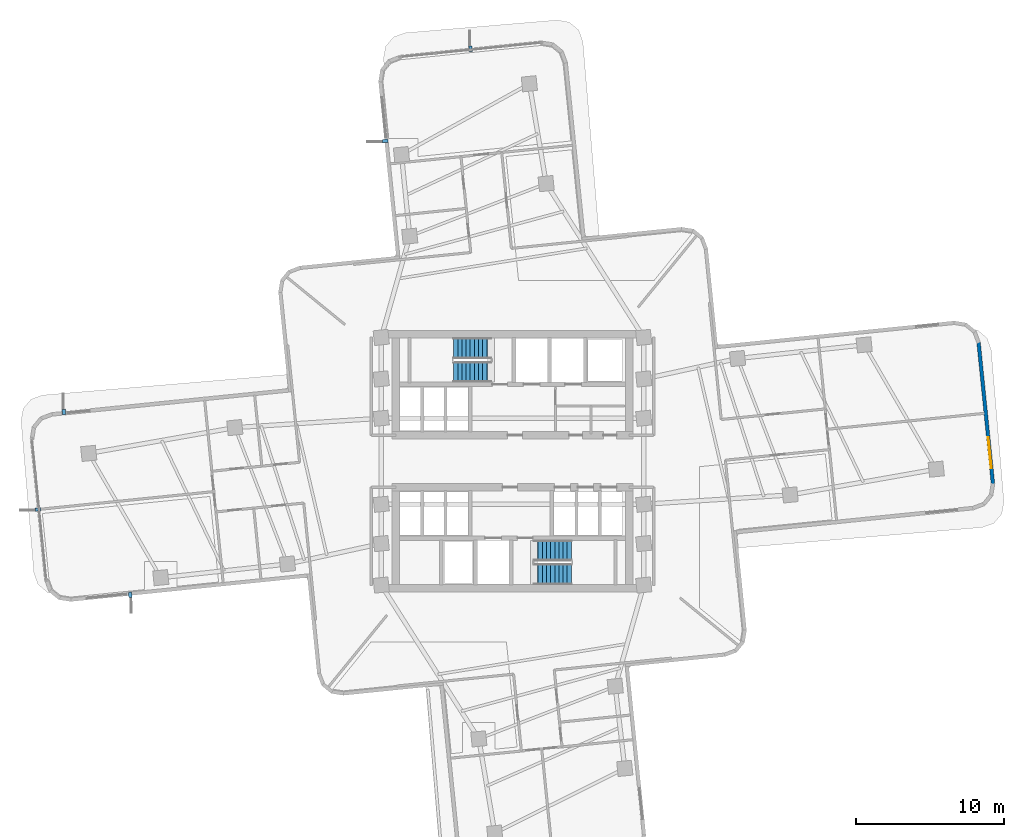
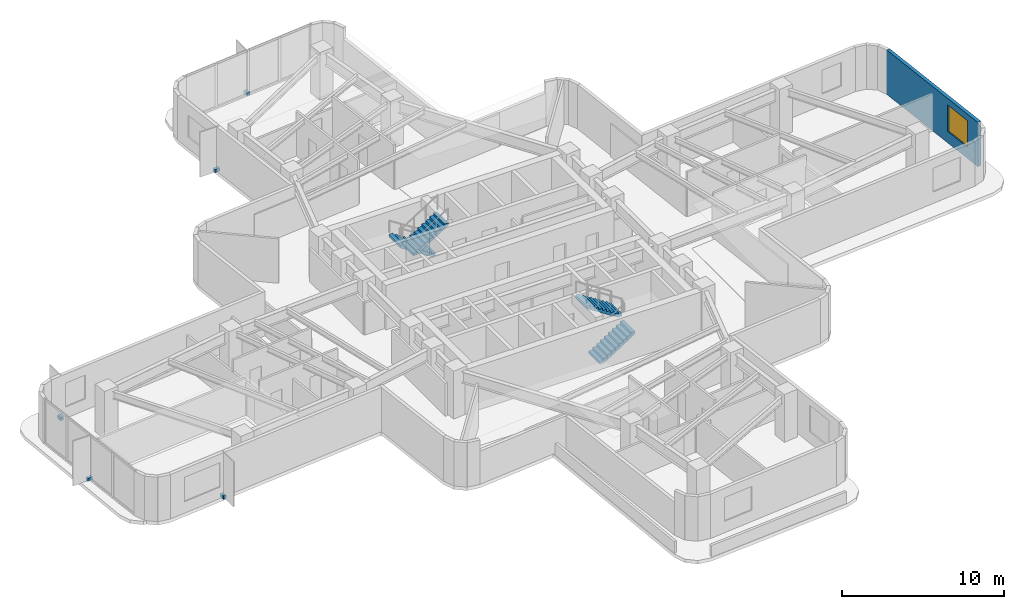
# One storey, part 10 of 14: 5 discrete accessories, 4 stair flights, 1 wall, 1 window, 1 opening, 2 elements without a shape of their own.
"""IFC4 building model written with IfcOpenShell, lengths in metres."""

from ifc_helpers import new_model, si_unit, direction, frame, frame_2d, origin, origin_2d, place, context, subcontext, project, spatial, polyline, rectangle, outline, extrude, material, layer, layer_set, type_object, element, fill, aggregate, save


model = new_model("IFC4")

# Units and contexts
model_context = context("Model", 3, precision=1e-05, world=origin(), true_north=direction((0.0, 1.0)))
body_context = subcontext(model_context, "Body", "Model", "MODEL_VIEW")
ifc_project = project(units=[si_unit("LENGTHUNIT", "METRE"), si_unit("AREAUNIT", "SQUARE_METRE"), si_unit("VOLUMEUNIT", "CUBIC_METRE"), si_unit("PLANEANGLEUNIT", "RADIAN"), si_unit("MASSUNIT", "GRAM", prefix="KILO")], contexts=[model_context])

# Site, building, storey
site_placement = place(None, origin())
site = spatial("IfcSite", under=ifc_project, at=site_placement, CompositionType="ELEMENT")
building_placement = place(site_placement, origin())
building = spatial("IfcBuilding", under=site, at=building_placement, Name="Solmarez Civic Tower", CompositionType="ELEMENT")
storey_placement = place(building_placement, frame((0.0, 0.0, 67.679931640625)))
storey = spatial("IfcBuildingStorey", under=building, at=storey_placement, Name="L17", CompositionType="ELEMENT", Elevation=67.679931640625)

# Wall, opening, window
ifc_material_1 = material(Name="Precast concrete C40/50", Category="concrete")
ifc_layer = layer(ifc_material_1, 0.239990234375)
ifc_layer_set = layer_set([ifc_layer], Name="Precast concrete C40/50")
wall_type = type_object("IfcWallType", Name="WALL-EXT-240", PredefinedType="SOLIDWALL", material=ifc_layer_set)
wall_placement = place(storey_placement, frame((31.428955078125, 8.027099609375, 0.0), z_axis=(0.0, 0.0, 1.0), x_axis=(0.101164586776, -0.994869703219, 0.0)))
wall = element("IfcWall", 1, at=wall_placement, inside=storey, type_object=wall_type, Name="L17 Exterior Precast Wall 42", PredefinedType="SOLIDWALL", context=body_context, shape_type="SweptSolid", body=[
    extrude(rectangle(XDim=9.619384765625, YDim=0.239990234375, at=frame_2d((4.8095703125, 0.0))), origin(), (0.0, 0.0, 1.0), 3.340087890625),
])
opening_placement = place(wall_placement, frame((6.452880859375, 0.0, 0.85009765625)))
opening = element("IfcOpeningElement", 2, at=opening_placement, cuts=wall, Name="Opening W-03", PredefinedType="OPENING", context=body_context, shape_type="SweptSolid", body=[
    extrude(rectangle(XDim=2.10009765625, YDim=2.0, at=frame_2d((1.050048828125, 1.0))), frame((0.0, 0.1298828125, 0.0), z_axis=(0.0, -1.0, 0.0), x_axis=(1.0, 0.0, 0.0)), (0.0, 0.0, 1.0), 0.260009765625),
])
ifc_material_2 = material(Name="Solar Control Bronze-Tinted Insulating Glass", Category="glass")
window_type = type_object("IfcWindowType", Name="WIN-2100X2000", PartitioningType="SINGLE_PANEL", PredefinedType="WINDOW", material=ifc_material_2)
window_placement = place(opening_placement, origin())
window = element("IfcWindow", 3, at=window_placement, inside=storey, type_object=window_type, Name="L17 Exterior Facade Window 42", OverallHeight=2.0, OverallWidth=2.10009765625, PartitioningType="SINGLE_PANEL", PredefinedType="WINDOW", context=body_context, shape_type="SweptSolid", body=[
    extrude(rectangle(XDim=2.10009765625, YDim=2.0, at=frame_2d((1.050048828125, 1.0))), frame((0.0, 0.030029296875, 0.0), z_axis=(0.0, -1.0, 0.0), x_axis=(1.0, 0.0, 0.0)), (0.0, 0.0, 1.0), 0.06005859375),
])
fill(opening, window)

# Stair, stair flights
ifc_material_3 = material(Name="Concrete C50/60", Category="concrete")
stair_type = type_object("IfcStairType", Name="STAIR-DOGLEG-140W-20R-1800", PredefinedType="HALF_TURN_STAIR", material=ifc_material_3)
stair_1_placement = place(storey_placement, origin())
stair_1 = element("IfcStair", 4, at=stair_1_placement, inside=storey, type_object=stair_type, Name="L17 North Core Protected Exit Stair ST-1", PredefinedType="HALF_TURN_STAIR")
stair_flight_type = type_object("IfcStairFlightType", Name="FLIGHT-DOGLEG-140W-10R-1800", PredefinedType="STRAIGHT", material=ifc_material_3)
stair_flight_1_placement = place(storey_placement, frame((-1.449951171875, 7.6201171875, 0.0), z_axis=(0.0, 0.0, 1.0), x_axis=(-1.0, 0.0, 0.0)))
stair_flight_1 = element("IfcStairFlight", 5, at=stair_flight_1_placement, type_object=stair_flight_type, Name="ST-1 flight 1", NumberOfRisers=10, NumberOfTreads=9, PredefinedType="STRAIGHT", RiserHeight=0.18, TreadLength=0.28, context=body_context, shape_type="SweptSolid", body=[
    extrude(outline(polyline([(0.0, 0.0), (0.0, 0.179931640625), (0.280029296875, 0.179931640625), (0.280029296875, 0.360107421875), (0.56005859375, 0.360107421875), (0.56005859375, 0.5400390625), (0.840087890625, 0.5400390625), (0.840087890625, 0.719970703125), (1.1201171875, 0.719970703125), (1.1201171875, 0.89990234375), (1.39990234375, 0.89990234375), (1.39990234375, 1.080078125), (1.679931640625, 1.080078125), (1.679931640625, 1.260009765625), (1.9599609375, 1.260009765625), (1.9599609375, 1.43994140625), (2.239990234375, 1.43994140625), (2.239990234375, 1.6201171875), (2.52001953125, 1.6201171875), (2.52001953125, 1.800048828125), (2.52001953125, 1.429931640625), (0.295654296875, 0.0), (0.0, 0.0)])), frame((0.0, 0.699951171875, 0.0), z_axis=(0.0, -1.0, 0.0), x_axis=(1.0, 0.0, 0.0)), (0.0, 0.0, 1.0), 1.39990234375),
])
stair_flight_2_placement = place(storey_placement, frame((-3.969970703125, 6.02001953125, 1.800048828125), z_axis=(0.0, 0.0, 1.0), x_axis=(1.0, 0.0, 0.0)))
stair_flight_2 = element("IfcStairFlight", 6, at=stair_flight_2_placement, type_object=stair_flight_type, Name="ST-1 flight 2", NumberOfRisers=10, NumberOfTreads=9, PredefinedType="STRAIGHT", RiserHeight=0.18, TreadLength=0.28, context=body_context, shape_type="SweptSolid", body=[
    extrude(outline(polyline([(0.0, 0.0), (0.0, 0.179931640625), (0.280029296875, 0.179931640625), (0.280029296875, 0.360107421875), (0.56005859375, 0.360107421875), (0.56005859375, 0.5400390625), (0.840087890625, 0.5400390625), (0.840087890625, 0.719970703125), (1.1201171875, 0.719970703125), (1.1201171875, 0.89990234375), (1.39990234375, 0.89990234375), (1.39990234375, 1.080078125), (1.679931640625, 1.080078125), (1.679931640625, 1.260009765625), (1.9599609375, 1.260009765625), (1.9599609375, 1.43994140625), (2.239990234375, 1.43994140625), (2.239990234375, 1.6201171875), (2.52001953125, 1.6201171875), (2.52001953125, 1.800048828125), (2.52001953125, 1.429931640625), (0.295654296875, 0.0), (0.0, 0.0)])), frame((0.0, 0.699951171875, 0.0), z_axis=(0.0, -1.0, 0.0), x_axis=(1.0, 0.0, 0.0)), (0.0, 0.0, 1.0), 1.39990234375),
])
aggregate(stair_1, [stair_flight_1, stair_flight_2])

stair_2_placement = place(storey_placement, origin())
stair_2 = element("IfcStair", 7, at=stair_2_placement, inside=storey, type_object=stair_type, Name="L17 South Core Protected Exit Stair ST-2", PredefinedType="HALF_TURN_STAIR")
stair_flight_3_placement = place(storey_placement, frame((1.449951171875, -7.6201171875, 0.0), z_axis=(0.0, 0.0, 1.0), x_axis=(1.0, 0.0, 0.0)))
stair_flight_3 = element("IfcStairFlight", 8, at=stair_flight_3_placement, type_object=stair_flight_type, Name="ST-2 flight 1", NumberOfRisers=10, NumberOfTreads=9, PredefinedType="STRAIGHT", RiserHeight=0.18, TreadLength=0.28, context=body_context, shape_type="SweptSolid", body=[
    extrude(outline(polyline([(0.0, 0.0), (0.0, 0.179931640625), (0.280029296875, 0.179931640625), (0.280029296875, 0.360107421875), (0.56005859375, 0.360107421875), (0.56005859375, 0.5400390625), (0.840087890625, 0.5400390625), (0.840087890625, 0.719970703125), (1.1201171875, 0.719970703125), (1.1201171875, 0.89990234375), (1.39990234375, 0.89990234375), (1.39990234375, 1.080078125), (1.679931640625, 1.080078125), (1.679931640625, 1.260009765625), (1.9599609375, 1.260009765625), (1.9599609375, 1.43994140625), (2.239990234375, 1.43994140625), (2.239990234375, 1.6201171875), (2.52001953125, 1.6201171875), (2.52001953125, 1.800048828125), (2.52001953125, 1.429931640625), (0.295654296875, 0.0), (0.0, 0.0)])), frame((0.0, 0.699951171875, 0.0), z_axis=(0.0, -1.0, 0.0), x_axis=(1.0, 0.0, 0.0)), (0.0, 0.0, 1.0), 1.39990234375),
])
stair_flight_4_placement = place(storey_placement, frame((3.969970703125, -6.02001953125, 1.800048828125), z_axis=(0.0, 0.0, 1.0), x_axis=(-1.0, 0.0, 0.0)))
stair_flight_4 = element("IfcStairFlight", 9, at=stair_flight_4_placement, type_object=stair_flight_type, Name="ST-2 flight 2", NumberOfRisers=10, NumberOfTreads=9, PredefinedType="STRAIGHT", RiserHeight=0.18, TreadLength=0.28, context=body_context, shape_type="SweptSolid", body=[
    extrude(outline(polyline([(0.0, 0.0), (0.0, 0.179931640625), (0.280029296875, 0.179931640625), (0.280029296875, 0.360107421875), (0.56005859375, 0.360107421875), (0.56005859375, 0.5400390625), (0.840087890625, 0.5400390625), (0.840087890625, 0.719970703125), (1.1201171875, 0.719970703125), (1.1201171875, 0.89990234375), (1.39990234375, 0.89990234375), (1.39990234375, 1.080078125), (1.679931640625, 1.080078125), (1.679931640625, 1.260009765625), (1.9599609375, 1.260009765625), (1.9599609375, 1.43994140625), (2.239990234375, 1.43994140625), (2.239990234375, 1.6201171875), (2.52001953125, 1.6201171875), (2.52001953125, 1.800048828125), (2.52001953125, 1.429931640625), (0.295654296875, 0.0), (0.0, 0.0)])), frame((0.0, 0.699951171875, 0.0), z_axis=(0.0, -1.0, 0.0), x_axis=(1.0, 0.0, 0.0)), (0.0, 0.0, 1.0), 1.39990234375),
])
aggregate(stair_2, [stair_flight_3, stair_flight_4])

# Discrete accessories
ifc_material_4 = material(Name="Stainless Steel Grade 1.4401", Category="steel")
discrete_accessory_type = type_object("IfcDiscreteAccessoryType", Name="BRACKET-SS-FIN", PredefinedType="BRACKET", material=ifc_material_4)
for number, where, z_axis, x_axis, name in (
    (10, (-25.780029296875, -9.010986328125, -0.06005859375), (0.0, 0.0, 1.0), (0.10109106031, -0.994877177105, 0.0), "L17 Stainless Fin Support Bracket FIN-L17-01"),
    (11, (-31.9951171875, -3.25, -0.06005859375), (0.0, 0.0, 1.0), (-0.994880775402, -0.101055641781, 0.0), "L17 Stainless Fin Support Bracket FIN-L17-02"),
    (12, (-30.2490234375, 3.320068359375, -0.06005859375), (0.0, 0.0, 1.0), (-0.10109106031, 0.994877177105, 0.0), "L17 Stainless Fin Support Bracket FIN-L17-03"),
    (13, (-8.5869140625, 21.60205078125, -0.06005859375), (0.0, 0.0, 1.0), (-0.994880248816, -0.10106082582, 0.0), "L17 Stainless Fin Support Bracket FIN-L17-04"),
    (14, (-2.825927734375, 27.81689453125, -0.06005859375), (0.0, 0.0, 1.0), (-0.101066149567, 0.994879708011, 0.0), "L17 Stainless Fin Support Bracket FIN-L17-05"),
):
    element("IfcDiscreteAccessory", number, at=place(storey_placement, frame(where, z_axis=z_axis, x_axis=x_axis)), inside=storey, type_object=discrete_accessory_type, Name=name, PredefinedType="BRACKET", context=body_context, shape_type="SweptSolid", body=[
        extrude(rectangle(XDim=0.360107421875, YDim=0.219970703125, at=origin_2d()), origin(), (0.0, 0.0, 1.0), 0.239990234375),
    ])

save(model, "model.ifc")
